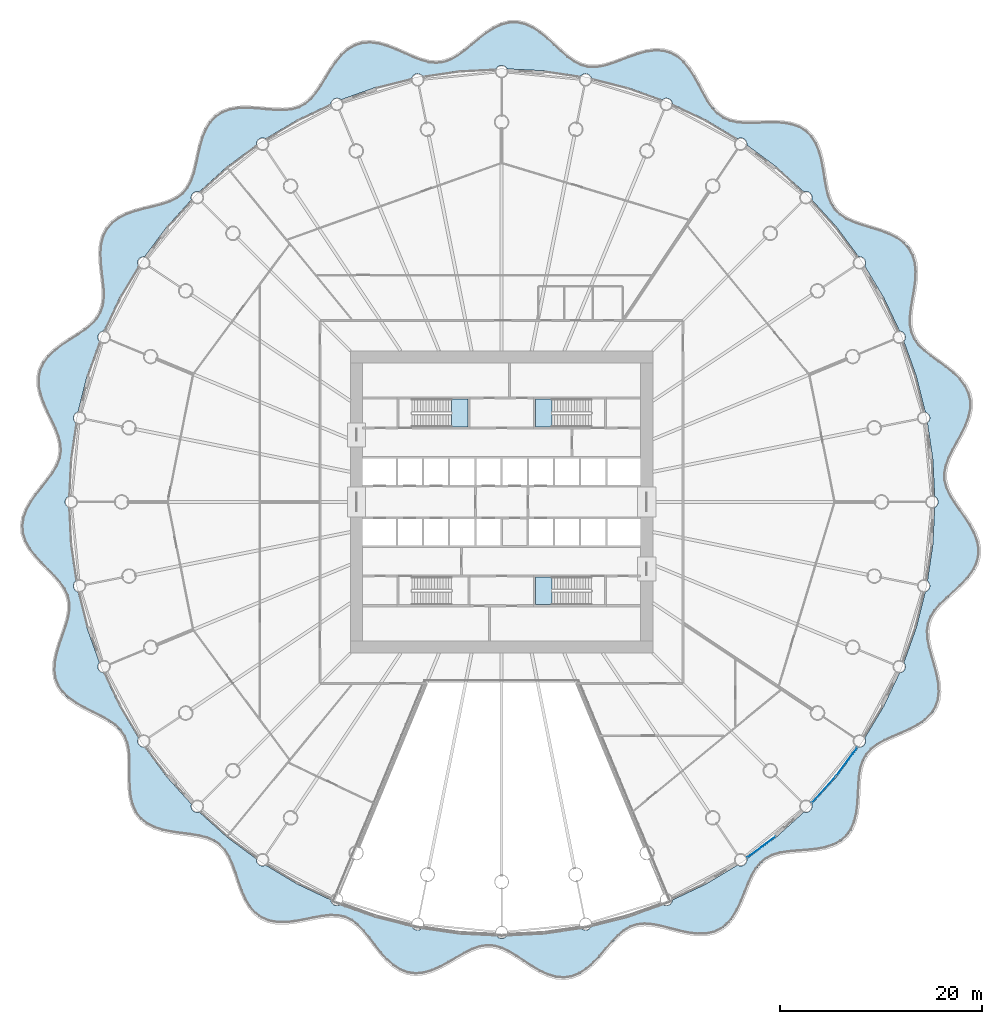
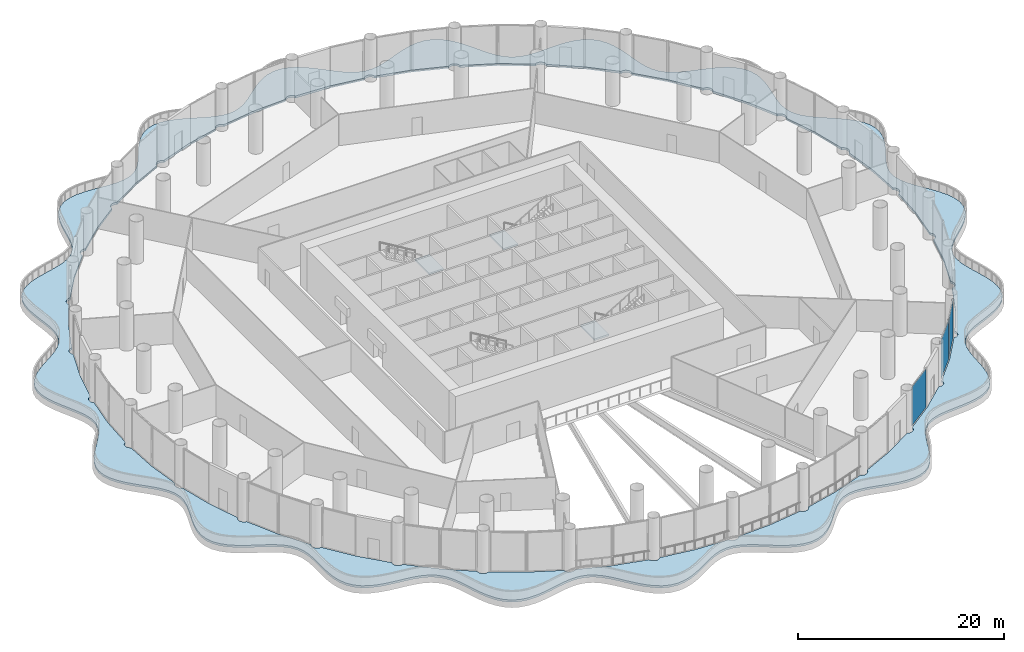
# One storey, part 21 of 36: 4 slabs, 3 plates, 6 elements without a shape of their own.
"""IFC4 building model written with IfcOpenShell, lengths in metres."""

from ifc_helpers import new_model, si_unit, direction, frame, origin, origin_2d, place, context, subcontext, project, spatial, polyline, rectangle, outline, extrude, material, layer, layer_set, type_object, element, aggregate, save


model = new_model("IFC4")

# Units and contexts
model_context = context("Model", 3, precision=1e-05, world=origin(), true_north=direction((0.0, 1.0)))
body_context = subcontext(model_context, "Body", "Model", "MODEL_VIEW")
ifc_project = project(units=[si_unit("LENGTHUNIT", "METRE"), si_unit("AREAUNIT", "SQUARE_METRE"), si_unit("VOLUMEUNIT", "CUBIC_METRE"), si_unit("PLANEANGLEUNIT", "RADIAN"), si_unit("MASSUNIT", "GRAM", prefix="KILO")], contexts=[model_context])

# Site, building, storey
site_placement = place(None, origin())
site = spatial("IfcSite", under=ifc_project, at=site_placement, CompositionType="ELEMENT")
building_placement = place(site_placement, origin())
building = spatial("IfcBuilding", under=site, at=building_placement, Name="Corvane Civic Tower", CompositionType="ELEMENT")
storey_placement = place(building_placement, frame((0.0, 0.0, 17.0)))
storey = spatial("IfcBuildingStorey", under=building, at=storey_placement, Name="L03", CompositionType="ELEMENT", Elevation=17.0)

# Curtain wall, plate
ifc_material_1 = material(Name="Aluminium and glass", Category="aluminium")
curtain_wall_type = type_object("IfcCurtainWallType", Name="PODIUM-CW-P-RUN", PredefinedType="NOTDEFINED", material=ifc_material_1)
curtain_wall_1_placement = place(storey_placement, origin())
curtain_wall_1 = element("IfcCurtainWall", 1, at=curtain_wall_1_placement, inside=storey, type_object=curtain_wall_type, Name="PODI run L03-drum-12A", PredefinedType="NOTDEFINED")
ifc_material_2 = material(Name="Glass tinted low-e laminated", Category="glass")
ifc_layer_1 = layer(ifc_material_2, 0.031982421875)
ifc_layer_set_1 = layer_set([ifc_layer_1], Name="Glass tinted low-e laminated")
plate_type = type_object("IfcPlateType", Name="PODIUM-CWP-PANEL-IGU32", PredefinedType="CURTAIN_PANEL", material=ifc_layer_set_1)
plate_1_placement = place(storey_placement, frame((34.245361328125, -25.771484375, 0.06005859375), z_axis=(0.0, 0.0, 1.0), x_axis=(-0.595705104665, -0.803203229747, 0.0)))
plate_1 = element("IfcPlate", 2, at=plate_1_placement, type_object=plate_type, Name="CW-P panel 1.1", PredefinedType="CURTAIN_PANEL", context=body_context, shape_type="SweptSolid", body=[
    extrude(rectangle(XDim=3.459716796875, YDim=0.031982421875, at=origin_2d()), origin(), (0.0, 0.0, 1.0), 4.580078125),
])
aggregate(curtain_wall_1, [plate_1])

curtain_wall_2_placement = place(storey_placement, origin())
curtain_wall_2 = element("IfcCurtainWall", 3, at=curtain_wall_2_placement, inside=storey, type_object=curtain_wall_type, Name="PODI run L03-drum-12B", PredefinedType="NOTDEFINED")
plate_2_placement = place(storey_placement, frame((31.957275390625, -28.5595703125, 0.06005859375), z_axis=(0.0, 0.0, 1.0), x_axis=(-0.671576457952, -0.740935261089, 0.0)))
plate_2 = element("IfcPlate", 4, at=plate_2_placement, type_object=plate_type, Name="CW-P panel 1.1", PredefinedType="CURTAIN_PANEL", context=body_context, shape_type="SweptSolid", body=[
    extrude(rectangle(XDim=3.4599609375, YDim=0.031982421875, at=origin_2d()), origin(), (0.0, 0.0, 1.0), 4.580078125),
])
aggregate(curtain_wall_2, [plate_2])

curtain_wall_3_placement = place(storey_placement, origin())
curtain_wall_3 = element("IfcCurtainWall", 5, at=curtain_wall_3_placement, inside=storey, type_object=curtain_wall_type, Name="PODI run L03-drum-13B", PredefinedType="NOTDEFINED")
plate_3_placement = place(storey_placement, frame((25.771484375, -34.245361328125, 0.06005859375), z_axis=(0.0, 0.0, 1.0), x_axis=(-0.803203229747, -0.595705104665, 0.0)))
plate_3 = element("IfcPlate", 6, at=plate_3_placement, type_object=plate_type, Name="CW-P panel 1.1", PredefinedType="CURTAIN_PANEL", context=body_context, shape_type="SweptSolid", body=[
    extrude(rectangle(XDim=3.459716796875, YDim=0.031982421875, at=origin_2d()), origin(), (0.0, 0.0, 1.0), 4.580078125),
])
aggregate(curtain_wall_3, [plate_3])

# Slab
ifc_material_3 = material(Name="Concrete C40/50", Category="concrete")
ifc_layer_2 = layer(ifc_material_3, 0.25)
ifc_layer_set_2 = layer_set([ifc_layer_2], Name="Concrete C40/50")
slab_type_1 = type_object("IfcSlabType", Name="PODIUM-SL-RIBBON-250", PredefinedType="FLOOR", material=ifc_layer_set_2)
slab_1_placement = place(storey_placement, frame((0.0, 0.0, -0.25)))
element("IfcSlab", 7, at=slab_1_placement, inside=storey, type_object=slab_type_1, Name="L03 ribbon balcony slab", PredefinedType="FLOOR", context=body_context, shape_type="SweptSolid", body=[
    extrude(outline(polyline([(0.77978515625, 47.653076171875), (0.0, 47.458740234375), (-0.770751953125, 47.1025390625), (-1.526123046875, 46.617919921875), (-2.26220703125, 46.05029296875), (-2.97900390625, 45.451416015625), (-3.679443359375, 44.875), (-4.3701171875, 44.37158203125), (-5.059814453125, 43.982666015625), (-5.75830078125, 43.738037109375), (-6.47509765625, 43.6513671875), (-7.21826171875, 43.720703125), (-7.99267578125, 43.927001953125), (-8.79931640625, 44.2373046875), (-9.63427734375, 44.607421875), (-10.489501953125, 44.986572265625), (-11.3525390625, 45.322265625), (-12.209228515625, 45.5654296875), (-13.043212890625, 45.67529296875), (-13.839599609375, 45.623046875), (-14.585693359375, 45.394775390625), (-15.27294921875, 44.99267578125), (-15.89892578125, 44.434814453125), (-16.46728515625, 43.752197265625), (-16.9873046875, 42.987548828125), (-17.475341796875, 42.18896484375), (-17.950439453125, 41.406982421875), (-18.435546875, 40.687744140625), (-18.9521484375, 40.07080078125), (-19.520263671875, 39.5830078125), (-20.15478515625, 39.238037109375), (-20.8642578125, 39.0341796875), (-21.648681640625, 38.955078125), (-22.5, 38.97119140625), (-23.40185546875, 39.043701171875), (-24.33154296875, 39.128173828125), (-25.2607421875, 39.17822265625), (-26.16015625, 39.1513671875), (-27.000244140625, 39.01171875), (-27.7568359375, 38.734619140625), (-28.411376953125, 38.30810546875), (-28.95458984375, 37.734130859375), (-29.387451171875, 37.028076171875), (-29.7216796875, 36.216064453125), (-29.978271484375, 35.33349609375), (-30.186279296875, 34.4208984375), (-30.38037109375, 33.51953125), (-30.59619140625, 32.667236328125), (-30.86865234375, 31.895751953125), (-31.226806640625, 31.226806640625), (-31.69091796875, 30.67041015625), (-32.271240234375, 30.225341796875), (-32.965087890625, 29.877685546875), (-33.757568359375, 29.6044921875), (-34.623046875, 29.37548828125), (-35.526611328125, 29.156005859375), (-36.427734375, 28.9111328125), (-37.2841796875, 28.609130859375), (-38.05615234375, 28.224365234375), (-38.709716796875, 27.739013671875), (-39.221923828125, 27.14599609375), (-39.581787109375, 26.447509765625), (-39.791748046875, 25.65625), (-39.86865234375, 24.7919921875), (-39.842041015625, 23.88037109375), (-39.75048828125, 22.949951171875), (-39.639404296875, 22.029052734375), (-39.555419921875, 21.142822265625), (-39.542724609375, 20.311279296875), (-39.6376953125, 19.547119140625), (-39.8662109375, 18.855224609375), (-40.23974609375, 18.232421875), (-40.755126953125, 17.66796875), (-41.393798828125, 17.145751953125), (-42.123779296875, 16.646240234375), (-42.903076171875, 16.1474609375), (-43.68212890625, 15.629638671875), (-44.4111328125, 15.075439453125), (-45.0419921875, 14.47216796875), (-45.53564453125, 13.81298828125), (-45.864501953125, 13.09716796875), (-46.015380859375, 12.329833984375), (-45.991943359375, 11.520263671875), (-45.81298828125, 10.68212890625), (-45.51220703125, 9.82958984375), (-45.133544921875, 8.9775390625), (-44.728271484375, 8.138671875), (-44.34912109375, 7.322021484375), (-44.04541015625, 6.533447265625), (-43.858642578125, 5.774169921875), (-43.817138671875, 5.040771484375), (-43.934326171875, 4.3271484375), (-44.207763671875, 3.624755859375), (-44.617431640625, 2.92431640625), (-45.129638671875, 2.217041015625), (-45.698974609375, 1.49609375), (-46.27392578125, 0.75732421875), (-46.800048828125, 0.0), (-47.227294921875, -0.772705078125), (-47.51416015625, -1.555419921875), (-47.630859375, -2.33984375), (-47.5634765625, -3.117431640625), (-47.314697265625, -3.879638671875), (-46.903564453125, -4.61962890625), (-46.36376953125, -5.333740234375), (-45.740234375, -6.021728515625), (-45.08447265625, -6.687744140625), (-44.44970703125, -7.338623046875), (-43.885986328125, -7.9853515625), (-43.434814453125, -8.6396484375), (-43.125, -9.314208984375), (-42.971435546875, -10.01953125), (-42.97119140625, -10.763671875), (-43.106689453125, -11.55029296875), (-43.344970703125, -12.377685546875), (-43.64306640625, -13.239013671875), (-43.951171875, -14.121826171875), (-44.218017578125, -15.010009765625), (-44.3955078125, -15.885009765625), (-44.44384765625, -16.7275390625), (-44.334716796875, -17.519775390625), (-44.054931640625, -18.248046875), (-43.60595703125, -18.90380859375), (-43.00537109375, -19.4853515625), (-42.283447265625, -19.99853515625), (-41.4814453125, -20.456298828125), (-40.645751953125, -20.8779296875), (-39.824951171875, -21.286865234375), (-39.064208984375, -21.709228515625), (-38.400634765625, -22.170654296875), (-37.860595703125, -22.69287109375), (-37.457275390625, -23.29248046875), (-37.1884765625, -23.977783203125), (-37.039306640625, -24.748779296875), (-36.981201171875, -25.594970703125), (-36.9775390625, -26.49755859375), (-36.9853515625, -27.43017578125), (-36.96142578125, -28.361572265625), (-36.864990234375, -29.258056640625), (-36.662841796875, -30.08837890625), (-36.331298828125, -30.824951171875), (-35.85986328125, -31.4482421875), (-35.25, -31.94873046875), (-34.516357421875, -32.328125), (-33.683837890625, -32.59912109375), (-32.78564453125, -32.78564453125), (-31.859375, -32.91943359375), (-30.943359375, -33.0380859375), (-30.072998046875, -33.180419921875), (-29.277099609375, -33.38427734375), (-28.575439453125, -33.68017578125), (-27.977294921875, -34.090576171875), (-27.480712890625, -34.625244140625), (-27.07275390625, -35.281982421875), (-26.732421875, -36.04443359375), (-26.431396484375, -36.885009765625), (-26.138427734375, -37.766357421875), (-25.822021484375, -38.6455078125), (-25.453857421875, -39.477783203125), (-25.010986328125, -40.220947265625), (-24.478271484375, -40.839599609375), (-23.85009765625, -41.309326171875), (-23.12890625, -41.61865234375), (-22.326904296875, -41.7705078125), (-21.4619140625, -41.782470703125), (-20.556884765625, -41.685302734375), (-19.637451171875, -41.519775390625), (-18.7275390625, -41.332763671875), (-17.84912109375, -41.173095703125), (-17.018798828125, -41.086669921875), (-16.24609375, -41.111572265625), (-15.53466796875, -41.2744140625), (-14.880126953125, -41.587158203125), (-14.27294921875, -42.046875), (-13.69873046875, -42.63427734375), (-13.139892578125, -43.31689453125), (-12.579345703125, -44.05078125), (-12.00048828125, -44.785888671875), (-11.389892578125, -45.470703125), (-10.73876953125, -46.055908203125), (-10.04345703125, -46.501708984375), (-9.30517578125, -46.77978515625), (-8.529541015625, -46.87646484375), (-7.725830078125, -46.795166015625), (-6.90576171875, -46.55517578125), (-6.0810546875, -46.190185546875), (-5.2626953125, -45.745361328125), (-4.458984375, -45.272216796875), (-3.67529296875, -44.82421875), (-2.91357421875, -44.451416015625), (-2.171142578125, -44.1953125), (-1.443115234375, -44.0849609375), (-0.72216796875, -44.134765625), (0.0, -44.341064453125), (0.731201171875, -44.685302734375), (1.4775390625, -45.133056640625), (2.2421875, -45.63916015625), (3.02490234375, -46.152099609375), (3.822509765625, -46.617919921875), (4.627685546875, -46.986328125), (5.431640625, -47.2158203125), (6.22412109375, -47.276611328125), (6.994873046875, -47.155029296875), (7.735595703125, -46.853271484375), (8.44091796875, -46.39013671875), (9.10986328125, -45.798828125), (9.745849609375, -45.123779296875), (10.356201171875, -44.415283203125), (10.952880859375, -43.7265625), (11.55029296875, -43.106689453125), (12.1640625, -42.59619140625), (12.80859375, -42.22412109375), (13.496337890625, -42.00439453125), (14.235107421875, -41.935302734375), (15.027587890625, -41.9990234375), (15.869384765625, -42.1640625), (16.75048828125, -42.38818359375), (17.655029296875, -42.623046875), (18.562744140625, -42.819091796875), (19.451171875, -42.929443359375), (20.29736328125, -42.91552734375), (21.081787109375, -42.749755859375), (21.788818359375, -42.41943359375), (22.409912109375, -41.926025390625), (22.9443359375, -41.28662109375), (23.39990234375, -40.530029296875), (23.792724609375, -39.69580078125), (24.145263671875, -38.82861328125), (24.48486328125, -37.974853515625), (24.84130859375, -37.177734375), (25.2431640625, -36.47265625), (25.714599609375, -35.884765625), (26.27392578125, -35.42626953125), (26.9296875, -35.095703125), (27.680908203125, -34.877685546875), (28.515625, -34.746337890625), (29.412353515625, -34.66650390625), (30.341552734375, -34.597900390625), (31.268798828125, -34.499755859375), (32.157470703125, -34.334228515625), (32.972900390625, -34.070068359375), (33.685546875, -33.685546875), (34.27490234375, -33.171142578125), (34.730224609375, -32.528564453125), (35.054443359375, -31.771484375), (35.26123046875, -30.92333984375), (35.376953125, -30.01513671875), (35.435546875, -29.081298828125), (35.477783203125, -28.1572265625), (35.545654296875, -27.275146484375), (35.678466796875, -26.4609375), (35.909423828125, -25.732421875), (36.26220703125, -25.097412109375), (36.747314453125, -24.5537109375), (37.361572265625, -24.08935546875), (38.088134765625, -23.6845703125), (38.8974609375, -23.314208984375), (39.75048828125, -22.949951171875), (40.60205078125, -22.56396484375), (41.40478515625, -22.13134765625), (42.11474609375, -21.632568359375), (42.695068359375, -21.054931640625), (43.1201171875, -20.394287109375), (43.377685546875, -19.654052734375), (43.470947265625, -18.845458984375), (43.41845703125, -17.984619140625), (43.251708984375, -17.091796875), (43.01318359375, -16.18896484375), (42.75146484375, -15.296630859375), (42.51708984375, -14.4326171875), (42.357421875, -13.609619140625), (42.3115234375, -12.8349609375), (42.406982421875, -12.10986328125), (42.656494140625, -11.4296875), (43.056884765625, -10.78515625), (43.5888671875, -10.16357421875), (44.218994140625, -9.55029296875), (44.902587890625, -8.931640625), (45.5888671875, -8.295166015625), (46.224853515625, -7.6318359375), (46.760986328125, -6.936279296875), (47.156005859375, -6.208251953125), (47.381591796875, -5.45068359375), (47.423583984375, -4.6708984375), (47.28515625, -3.877197265625), (46.986083984375, -3.07958984375), (46.559814453125, -2.287353515625), (46.0517578125, -1.507568359375), (45.513916015625, -0.744873046875), (45.0, 0.0), (44.560302734375, 0.729248046875), (44.23681640625, 1.4482421875), (44.05859375, 2.16455078125), (44.0400390625, 2.886474609375), (44.178466796875, 3.622314453125), (44.454345703125, 4.37841796875), (44.834716796875, 5.15771484375), (45.2744140625, 5.96044921875), (45.721923828125, 6.7822265625), (46.1240234375, 7.615234375), (46.43115234375, 8.448486328125), (46.601318359375, 9.26953125), (46.60595703125, 10.06591796875), (46.430419921875, 10.826171875), (46.07763671875, 11.541748046875), (45.5654296875, 12.209228515625), (44.926513671875, 12.829345703125), (44.2041015625, 13.4091796875), (43.4482421875, 13.960205078125), (42.710205078125, 14.498046875), (42.038330078125, 15.04150390625), (41.472412109375, 15.609130859375), (41.040771484375, 16.218017578125), (40.75732421875, 16.88232421875), (40.6201171875, 17.609375), (40.612060546875, 18.401123046875), (40.70263671875, 19.2509765625), (40.8515625, 20.145751953125), (41.01171875, 21.06591796875), (41.13525390625, 21.9873046875), (41.17724609375, 22.8837890625), (41.1005859375, 23.7294921875), (40.87890625, 24.501953125), (40.49951171875, 25.184326171875), (39.964599609375, 25.767822265625), (39.289794921875, 26.25244140625), (38.5029296875, 26.6484375), (37.641845703125, 26.973876953125), (36.7490234375, 27.2548828125), (35.868408203125, 27.522705078125), (35.040771484375, 27.810302734375), (34.299560546875, 28.14892578125), (33.668701171875, 28.565673828125), (33.158935546875, 29.07958984375), (32.769287109375, 29.700439453125), (32.485107421875, 30.42578125), (32.281982421875, 31.242431640625), (32.126708984375, 32.126708984375), (31.982177734375, 33.04638671875), (31.810302734375, 33.963623046875), (31.575927734375, 34.8388671875), (31.250732421875, 35.634765625), (30.81494140625, 36.31982421875), (30.260009765625, 36.871826171875), (29.587890625, 37.2802734375), (28.8115234375, 37.5478515625), (27.952880859375, 37.68994140625), (27.0400390625, 37.734375), (26.10498046875, 37.7177734375), (25.17919921875, 37.683349609375), (24.291748046875, 37.67529296875), (23.465576171875, 37.73583984375), (22.71630859375, 37.89990234375), (22.050048828125, 38.191650390625), (21.464111328125, 38.622802734375), (20.947509765625, 39.18994140625), (20.48193359375, 39.875), (20.045166015625, 40.6474609375), (19.6123046875, 41.466552734375), (19.158935546875, 42.28466796875), (18.6640625, 43.052978515625), (18.111572265625, 43.725341796875), (17.491943359375, 44.263916015625), (16.802001953125, 44.641845703125), (16.04638671875, 44.846435546875), (15.235107421875, 44.88134765625), (14.38330078125, 44.76513671875), (13.508056640625, 44.5302734375), (12.6279296875, 44.220703125), (11.75927734375, 43.885986328125), (10.915771484375, 43.578369140625), (10.10693359375, 43.345947265625), (9.336669921875, 43.229248046875), (8.604248046875, 43.25634765625), (7.904296875, 43.440673828125), (7.22802734375, 43.77880859375), (6.56396484375, 44.251220703125), (5.901123046875, 44.824462890625), (5.22900390625, 45.453125), (4.5390625, 46.085693359375), (3.82666015625, 46.668701171875), (3.090576171875, 47.152099609375), (2.333251953125, 47.494140625), (1.560302734375, 47.665771484375), (0.77978515625, 47.653076171875)]), holes=[polyline([(0.31005859375, -43.23681640625), (0.160400390625, -43.298828125), (0.0, -43.320068359375), (-0.160400390625, -43.298828125), (-0.31005859375, -43.23681640625), (-0.4384765625, -43.138427734375), (-0.536865234375, -43.010009765625), (-0.55224609375, -42.972900390625), (-4.21484375, -42.79296875), (-7.84326171875, -42.2548828125), (-7.891845703125, -42.318115234375), (-8.020263671875, -42.41650390625), (-8.169921875, -42.478515625), (-8.330322265625, -42.49951171875), (-8.49072265625, -42.478515625), (-8.640380859375, -42.41650390625), (-8.768798828125, -42.318115234375), (-8.8671875, -42.189697265625), (-8.92919921875, -42.0400390625), (-8.929443359375, -42.038330078125), (-12.482177734375, -41.1484375), (-15.934814453125, -39.9130859375), (-16.030517578125, -39.986572265625), (-16.18017578125, -40.048583984375), (-16.340576171875, -40.069580078125), (-16.5009765625, -40.048583984375), (-16.650634765625, -39.986572265625), (-16.779052734375, -39.88818359375), (-16.87744140625, -39.759765625), (-16.939453125, -39.610107421875), (-16.955078125, -39.490478515625), (-20.27001953125, -37.922607421875), (-23.41162109375, -36.03955078125), (-23.412841796875, -36.04052734375), (-23.5625, -36.1025390625), (-23.722900390625, -36.123779296875), (-23.88330078125, -36.1025390625), (-24.032958984375, -36.04052734375), (-24.161376953125, -35.942138671875), (-24.259765625, -35.813720703125), (-24.32177734375, -35.6640625), (-24.343017578125, -35.503662109375), (-24.33251953125, -35.424560546875), (-27.27880859375, -33.239501953125), (-29.995849609375, -30.77685546875), (-30.032958984375, -30.792236328125), (-30.193359375, -30.8134765625), (-30.353759765625, -30.792236328125), (-30.50341796875, -30.730224609375), (-30.6318359375, -30.6318359375), (-30.730224609375, -30.50341796875), (-30.792236328125, -30.353759765625), (-30.8134765625, -30.193359375), (-30.792236328125, -30.032958984375), (-30.77685546875, -29.995849609375), (-33.239501953125, -27.27880859375), (-35.424560546875, -24.33251953125), (-35.503662109375, -24.343017578125), (-35.6640625, -24.32177734375), (-35.813720703125, -24.259765625), (-35.942138671875, -24.161376953125), (-36.04052734375, -24.032958984375), (-36.1025390625, -23.88330078125), (-36.123779296875, -23.722900390625), (-36.1025390625, -23.5625), (-36.04052734375, -23.412841796875), (-36.03955078125, -23.41162109375), (-37.922607421875, -20.27001953125), (-39.490478515625, -16.955078125), (-39.610107421875, -16.939453125), (-39.759765625, -16.87744140625), (-39.88818359375, -16.779052734375), (-39.986572265625, -16.650634765625), (-40.048583984375, -16.5009765625), (-40.069580078125, -16.340576171875), (-40.048583984375, -16.18017578125), (-39.986572265625, -16.030517578125), (-39.9130859375, -15.934814453125), (-41.1484375, -12.482177734375), (-42.038330078125, -8.929443359375), (-42.0400390625, -8.92919921875), (-42.189697265625, -8.8671875), (-42.318115234375, -8.768798828125), (-42.41650390625, -8.640380859375), (-42.478515625, -8.49072265625), (-42.49951171875, -8.330322265625), (-42.478515625, -8.169921875), (-42.41650390625, -8.020263671875), (-42.318115234375, -7.891845703125), (-42.2548828125, -7.84326171875), (-42.79296875, -4.21484375), (-42.972900390625, -0.55224609375), (-43.010009765625, -0.536865234375), (-43.138427734375, -0.4384765625), (-43.23681640625, -0.31005859375), (-43.298828125, -0.160400390625), (-43.320068359375, 0.0), (-43.298828125, 0.160400390625), (-43.23681640625, 0.31005859375), (-43.138427734375, 0.4384765625), (-43.010009765625, 0.536865234375), (-42.972900390625, 0.55224609375), (-42.79296875, 4.21484375), (-42.2548828125, 7.84326171875), (-42.318115234375, 7.891845703125), (-42.41650390625, 8.020263671875), (-42.478515625, 8.169921875), (-42.49951171875, 8.330322265625), (-42.478515625, 8.49072265625), (-42.41650390625, 8.640380859375), (-42.318115234375, 8.768798828125), (-42.189697265625, 8.8671875), (-42.0400390625, 8.92919921875), (-42.038330078125, 8.929443359375), (-41.1484375, 12.482177734375), (-39.9130859375, 15.934814453125), (-39.986572265625, 16.030517578125), (-40.048583984375, 16.18017578125), (-40.069580078125, 16.340576171875), (-40.048583984375, 16.5009765625), (-39.986572265625, 16.650634765625), (-39.88818359375, 16.779052734375), (-39.759765625, 16.87744140625), (-39.610107421875, 16.939453125), (-39.490478515625, 16.955078125), (-37.922607421875, 20.27001953125), (-36.03955078125, 23.41162109375), (-36.04052734375, 23.412841796875), (-36.1025390625, 23.5625), (-36.123779296875, 23.722900390625), (-36.1025390625, 23.88330078125), (-36.04052734375, 24.032958984375), (-35.942138671875, 24.161376953125), (-35.813720703125, 24.259765625), (-35.6640625, 24.32177734375), (-35.503662109375, 24.343017578125), (-35.424560546875, 24.33251953125), (-33.239501953125, 27.27880859375), (-30.77685546875, 29.995849609375), (-30.792236328125, 30.032958984375), (-30.8134765625, 30.193359375), (-30.792236328125, 30.353759765625), (-30.730224609375, 30.50341796875), (-30.6318359375, 30.6318359375), (-30.50341796875, 30.730224609375), (-30.353759765625, 30.792236328125), (-30.193359375, 30.8134765625), (-30.032958984375, 30.792236328125), (-29.995849609375, 30.77685546875), (-27.27880859375, 33.239501953125), (-24.33251953125, 35.424560546875), (-24.343017578125, 35.503662109375), (-24.32177734375, 35.6640625), (-24.259765625, 35.813720703125), (-24.161376953125, 35.942138671875), (-24.032958984375, 36.04052734375), (-23.88330078125, 36.1025390625), (-23.722900390625, 36.123779296875), (-23.5625, 36.1025390625), (-23.412841796875, 36.04052734375), (-23.41162109375, 36.03955078125), (-20.27001953125, 37.922607421875), (-16.955078125, 39.490478515625), (-16.939453125, 39.610107421875), (-16.87744140625, 39.759765625), (-16.779052734375, 39.88818359375), (-16.650634765625, 39.986572265625), (-16.5009765625, 40.048583984375), (-16.340576171875, 40.069580078125), (-16.18017578125, 40.048583984375), (-16.030517578125, 39.986572265625), (-15.934814453125, 39.9130859375), (-12.482177734375, 41.1484375), (-8.929443359375, 42.038330078125), (-8.92919921875, 42.0400390625), (-8.8671875, 42.189697265625), (-8.768798828125, 42.318115234375), (-8.640380859375, 42.41650390625), (-8.49072265625, 42.478515625), (-8.330322265625, 42.49951171875), (-8.169921875, 42.478515625), (-8.020263671875, 42.41650390625), (-7.891845703125, 42.318115234375), (-7.84326171875, 42.2548828125), (-4.21484375, 42.79296875), (-0.55224609375, 42.972900390625), (-0.536865234375, 43.010009765625), (-0.4384765625, 43.138427734375), (-0.31005859375, 43.23681640625), (-0.160400390625, 43.298828125), (0.0, 43.320068359375), (0.160400390625, 43.298828125), (0.31005859375, 43.23681640625), (0.4384765625, 43.138427734375), (0.536865234375, 43.010009765625), (0.55224609375, 42.972900390625), (4.21484375, 42.79296875), (7.84326171875, 42.2548828125), (7.891845703125, 42.318115234375), (8.020263671875, 42.41650390625), (8.169921875, 42.478515625), (8.330322265625, 42.49951171875), (8.49072265625, 42.478515625), (8.640380859375, 42.41650390625), (8.768798828125, 42.318115234375), (8.8671875, 42.189697265625), (8.92919921875, 42.0400390625), (8.929443359375, 42.038330078125), (12.482177734375, 41.1484375), (15.934814453125, 39.9130859375), (16.030517578125, 39.986572265625), (16.18017578125, 40.048583984375), (16.340576171875, 40.069580078125), (16.5009765625, 40.048583984375), (16.650634765625, 39.986572265625), (16.779052734375, 39.88818359375), (16.87744140625, 39.759765625), (16.939453125, 39.610107421875), (16.955078125, 39.490478515625), (20.27001953125, 37.922607421875), (23.41162109375, 36.03955078125), (23.412841796875, 36.04052734375), (23.5625, 36.1025390625), (23.722900390625, 36.123779296875), (23.88330078125, 36.1025390625), (24.032958984375, 36.04052734375), (24.161376953125, 35.942138671875), (24.259765625, 35.813720703125), (24.32177734375, 35.6640625), (24.343017578125, 35.503662109375), (24.33251953125, 35.424560546875), (27.27880859375, 33.239501953125), (29.995849609375, 30.77685546875), (30.032958984375, 30.792236328125), (30.193359375, 30.8134765625), (30.353759765625, 30.792236328125), (30.50341796875, 30.730224609375), (30.6318359375, 30.6318359375), (30.730224609375, 30.50341796875), (30.792236328125, 30.353759765625), (30.8134765625, 30.193359375), (30.792236328125, 30.032958984375), (30.77685546875, 29.995849609375), (33.239501953125, 27.27880859375), (35.424560546875, 24.33251953125), (35.503662109375, 24.343017578125), (35.6640625, 24.32177734375), (35.813720703125, 24.259765625), (35.942138671875, 24.161376953125), (36.04052734375, 24.032958984375), (36.1025390625, 23.88330078125), (36.123779296875, 23.722900390625), (36.1025390625, 23.5625), (36.04052734375, 23.412841796875), (36.03955078125, 23.41162109375), (37.922607421875, 20.27001953125), (39.490478515625, 16.955078125), (39.610107421875, 16.939453125), (39.759765625, 16.87744140625), (39.88818359375, 16.779052734375), (39.986572265625, 16.650634765625), (40.048583984375, 16.5009765625), (40.069580078125, 16.340576171875), (40.048583984375, 16.18017578125), (39.986572265625, 16.030517578125), (39.9130859375, 15.934814453125), (41.1484375, 12.482177734375), (42.038330078125, 8.929443359375), (42.0400390625, 8.92919921875), (42.189697265625, 8.8671875), (42.318115234375, 8.768798828125), (42.41650390625, 8.640380859375), (42.478515625, 8.49072265625), (42.49951171875, 8.330322265625), (42.478515625, 8.169921875), (42.41650390625, 8.020263671875), (42.318115234375, 7.891845703125), (42.2548828125, 7.84326171875), (42.79296875, 4.21484375), (42.972900390625, 0.55224609375), (43.010009765625, 0.536865234375), (43.138427734375, 0.4384765625), (43.23681640625, 0.31005859375), (43.298828125, 0.160400390625), (43.320068359375, 0.0), (43.298828125, -0.160400390625), (43.23681640625, -0.31005859375), (43.138427734375, -0.4384765625), (43.010009765625, -0.536865234375), (42.972900390625, -0.55224609375), (42.79296875, -4.21484375), (42.2548828125, -7.84326171875), (42.318115234375, -7.891845703125), (42.41650390625, -8.020263671875), (42.478515625, -8.169921875), (42.49951171875, -8.330322265625), (42.478515625, -8.49072265625), (42.41650390625, -8.640380859375), (42.318115234375, -8.768798828125), (42.189697265625, -8.8671875), (42.0400390625, -8.92919921875), (42.038330078125, -8.929443359375), (41.1484375, -12.482177734375), (39.9130859375, -15.934814453125), (39.986572265625, -16.030517578125), (40.048583984375, -16.18017578125), (40.069580078125, -16.340576171875), (40.048583984375, -16.5009765625), (39.986572265625, -16.650634765625), (39.88818359375, -16.779052734375), (39.759765625, -16.87744140625), (39.610107421875, -16.939453125), (39.490478515625, -16.955078125), (37.922607421875, -20.27001953125), (36.03955078125, -23.41162109375), (36.04052734375, -23.412841796875), (36.1025390625, -23.5625), (36.123779296875, -23.722900390625), (36.1025390625, -23.88330078125), (36.04052734375, -24.032958984375), (35.942138671875, -24.161376953125), (35.813720703125, -24.259765625), (35.6640625, -24.32177734375), (35.503662109375, -24.343017578125), (35.424560546875, -24.33251953125), (33.239501953125, -27.27880859375), (30.77685546875, -29.995849609375), (30.792236328125, -30.032958984375), (30.8134765625, -30.193359375), (30.792236328125, -30.353759765625), (30.730224609375, -30.50341796875), (30.6318359375, -30.6318359375), (30.50341796875, -30.730224609375), (30.353759765625, -30.792236328125), (30.193359375, -30.8134765625), (30.032958984375, -30.792236328125), (29.995849609375, -30.77685546875), (27.27880859375, -33.239501953125), (24.33251953125, -35.424560546875), (24.343017578125, -35.503662109375), (24.32177734375, -35.6640625), (24.259765625, -35.813720703125), (24.161376953125, -35.942138671875), (24.032958984375, -36.04052734375), (23.88330078125, -36.1025390625), (23.722900390625, -36.123779296875), (23.5625, -36.1025390625), (23.412841796875, -36.04052734375), (23.41162109375, -36.03955078125), (20.27001953125, -37.922607421875), (16.955078125, -39.490478515625), (16.939453125, -39.610107421875), (16.87744140625, -39.759765625), (16.779052734375, -39.88818359375), (16.650634765625, -39.986572265625), (16.5009765625, -40.048583984375), (16.340576171875, -40.069580078125), (16.18017578125, -40.048583984375), (16.030517578125, -39.986572265625), (15.934814453125, -39.9130859375), (12.482177734375, -41.1484375), (8.929443359375, -42.038330078125), (8.92919921875, -42.0400390625), (8.8671875, -42.189697265625), (8.768798828125, -42.318115234375), (8.640380859375, -42.41650390625), (8.49072265625, -42.478515625), (8.330322265625, -42.49951171875), (8.169921875, -42.478515625), (8.020263671875, -42.41650390625), (7.891845703125, -42.318115234375), (7.84326171875, -42.2548828125), (4.21484375, -42.79296875), (0.55224609375, -42.972900390625), (0.536865234375, -43.010009765625), (0.4384765625, -43.138427734375), (0.31005859375, -43.23681640625)])]), origin(), (0.0, 0.0, 1.0), 0.25),
])

# Stair, slab
ifc_material_4 = material(Name="Concrete C40/50", Category="concrete")
stair_type = type_object("IfcStairType", Name="ST-STAIR-HALFTURN", PredefinedType="HALF_TURN_STAIR", material=ifc_material_4)
stair_1_placement = place(storey_placement, origin())
stair_1 = element("IfcStair", 8, at=stair_1_placement, inside=storey, type_object=stair_type, Name="L03 Exit stair ST1", PredefinedType="HALF_TURN_STAIR")
ifc_material_5 = material(Name="Concrete C40/50", Category="concrete")
ifc_layer_3 = layer(ifc_material_5, 0.199951171875)
ifc_layer_set_3 = layer_set([ifc_layer_3], Name="Concrete C40/50")
slab_type_2 = type_object("IfcSlabType", Name="ST-LANDING-RC", PredefinedType="LANDING", material=ifc_layer_set_3)
slab_2_placement = place(storey_placement, frame((0.0, 0.0, 2.300048828125)))
slab_2 = element("IfcSlab", 9, at=slab_2_placement, type_object=slab_type_2, Name="ST1 landing 1", PredefinedType="LANDING", context=body_context, shape_type="SweptSolid", body=[
    extrude(outline(polyline([(4.97998046875, 10.199951171875), (3.35009765625, 10.199951171875), (3.35009765625, 7.449951171875), (4.97998046875, 7.449951171875), (4.97998046875, 10.199951171875)])), origin(), (0.0, 0.0, 1.0), 0.199951171875),
])
aggregate(stair_1, [slab_2])

stair_2_placement = place(storey_placement, origin())
stair_2 = element("IfcStair", 10, at=stair_2_placement, inside=storey, type_object=stair_type, Name="L03 Exit stair ST2", PredefinedType="HALF_TURN_STAIR")
slab_3_placement = place(storey_placement, frame((0.0, 0.0, 2.300048828125)))
slab_3 = element("IfcSlab", 11, at=slab_3_placement, type_object=slab_type_2, Name="ST2 landing 1", PredefinedType="LANDING", context=body_context, shape_type="SweptSolid", body=[
    extrude(outline(polyline([(4.97998046875, -7.449951171875), (3.35009765625, -7.449951171875), (3.35009765625, -10.199951171875), (4.97998046875, -10.199951171875), (4.97998046875, -7.449951171875)])), origin(), (0.0, 0.0, 1.0), 0.199951171875),
])
aggregate(stair_2, [slab_3])

stair_3_placement = place(storey_placement, origin())
stair_3 = element("IfcStair", 12, at=stair_3_placement, inside=storey, type_object=stair_type, Name="L03 Exit stair ST4", PredefinedType="HALF_TURN_STAIR")
slab_4_placement = place(storey_placement, frame((0.0, 0.0, 2.300048828125)))
slab_4 = element("IfcSlab", 13, at=slab_4_placement, type_object=slab_type_2, Name="ST4 landing 1", PredefinedType="LANDING", context=body_context, shape_type="SweptSolid", body=[
    extrude(outline(polyline([(-4.97998046875, 7.449951171875), (-3.35009765625, 7.449951171875), (-3.35009765625, 10.199951171875), (-4.97998046875, 10.199951171875), (-4.97998046875, 7.449951171875)])), origin(), (0.0, 0.0, 1.0), 0.199951171875),
])
aggregate(stair_3, [slab_4])

save(model, "model.ifc")
